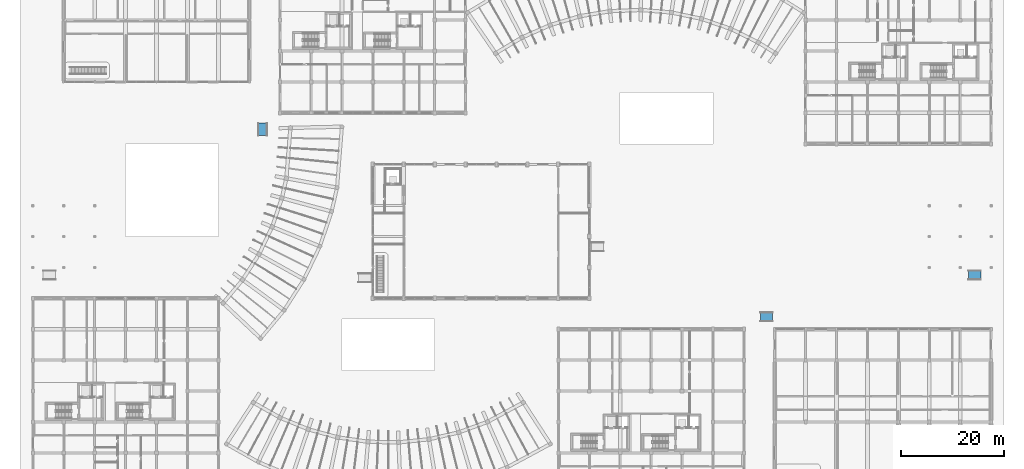
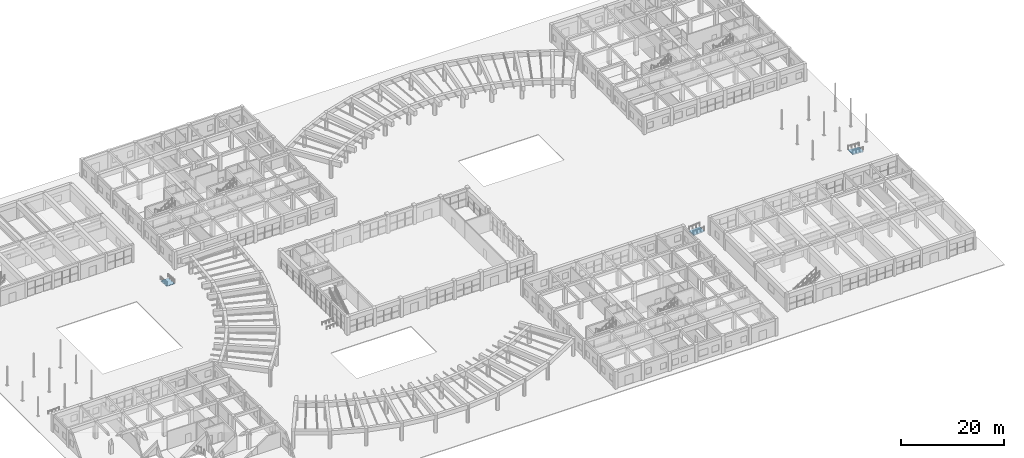
# One storey, part 66 of 76: 3 ramp flights, 3 elements without a shape of their own.
"""IFC4 building model written with IfcOpenShell, lengths in metres."""

from ifc_helpers import new_model, si_unit, direction, frame, origin, place, context, subcontext, project, spatial, polyline, outline, extrude, material, type_object, element, aggregate, save


model = new_model("IFC4")

# Units and contexts
model_context = context("Model", 3, precision=1e-05, world=origin(), true_north=direction((0.0, 1.0)))
body_context = subcontext(model_context, "Body", "Model", "MODEL_VIEW")
ifc_project = project(units=[si_unit("LENGTHUNIT", "METRE"), si_unit("AREAUNIT", "SQUARE_METRE"), si_unit("VOLUMEUNIT", "CUBIC_METRE"), si_unit("PLANEANGLEUNIT", "RADIAN"), si_unit("MASSUNIT", "GRAM", prefix="KILO"), si_unit("POWERUNIT", "WATT"), si_unit("THERMODYNAMICTEMPERATUREUNIT", "KELVIN")], contexts=[model_context])

# Site, building, storey
site_placement = place(None, origin())
site = spatial("IfcSite", under=ifc_project, at=site_placement, CompositionType="ELEMENT")
building_placement = place(site_placement, origin())
building = spatial("IfcBuilding", under=site, at=building_placement, Name="Ruvembo Vaulted Housing Court", CompositionType="ELEMENT")
storey_placement = place(building_placement, origin())
storey = spatial("IfcBuildingStorey", under=building, at=storey_placement, Name="L00", CompositionType="ELEMENT", Elevation=0.0)

# Ramp, ramp flight
ifc_material = material(Name="Concrete C30/37", Category="concrete")
ramp_type = type_object("IfcRampType", Name="RMP-COURT-1TO16", PredefinedType="STRAIGHT_RUN_RAMP", material=ifc_material)
ramp_1_placement = place(storey_placement, origin())
ramp_1 = element("IfcRamp", 1, at=ramp_1_placement, inside=storey, type_object=ramp_type, Name="Accessible Courtyard Ramp RMP-02", PredefinedType="STRAIGHT_RUN_RAMP")
ramp_flight_type = type_object("IfcRampFlightType", Name="RMP-FLT-1800", PredefinedType="STRAIGHT", material=ifc_material)
ramp_flight_1_placement = place(storey_placement, frame((184.0, 46.5, -0.14990234375), z_axis=(0.0, 0.0, 1.0), x_axis=(-1.0, 0.0, 0.0)))
ramp_flight_1 = element("IfcRampFlight", 2, at=ramp_flight_1_placement, type_object=ramp_flight_type, Name="RP1 flight 1", PredefinedType="STRAIGHT", context=body_context, shape_type="SweptSolid", body=[
    extrude(outline(polyline([(0.0, 0.0), (2.39990234375, 0.14990234375), (2.39990234375, -0.030029296875), (0.0, -0.179931640625), (0.0, 0.0)])), frame((0.0, 0.89990234375, 0.0), z_axis=(0.0, -1.0, 0.0), x_axis=(1.0, 0.0, 0.0)), (0.0, 0.0, 1.0), 1.800048828125),
])
aggregate(ramp_1, [ramp_flight_1])

ramp_2_placement = place(storey_placement, origin())
ramp_2 = element("IfcRamp", 3, at=ramp_2_placement, inside=storey, type_object=ramp_type, Name="Accessible Courtyard Ramp RMP-04", PredefinedType="STRAIGHT_RUN_RAMP")
ramp_flight_2_placement = place(storey_placement, frame((44.60009765625, 76.0, -0.14990234375), z_axis=(0.0, 0.0, 1.0), x_axis=(0.0, -1.0, 0.0)))
ramp_flight_2 = element("IfcRampFlight", 4, at=ramp_flight_2_placement, type_object=ramp_flight_type, Name="RP1 flight 1", PredefinedType="STRAIGHT", context=body_context, shape_type="SweptSolid", body=[
    extrude(outline(polyline([(0.0, 0.0), (2.39990234375, 0.14990234375), (2.39990234375, -0.030029296875), (0.0, -0.179931640625), (0.0, 0.0)])), frame((0.0, 0.89990234375, 0.0), z_axis=(0.0, -1.0, 0.0), x_axis=(1.0, 0.0, 0.0)), (0.0, 0.0, 1.0), 1.800048828125),
])
aggregate(ramp_2, [ramp_flight_2])

ramp_3_placement = place(storey_placement, origin())
ramp_3 = element("IfcRamp", 5, at=ramp_3_placement, inside=storey, type_object=ramp_type, Name="Accessible Courtyard Ramp RMP-05", PredefinedType="STRAIGHT_RUN_RAMP")
ramp_flight_3_placement = place(storey_placement, frame((141.199951171875, 38.39990234375, -0.14990234375), z_axis=(0.0, 0.0, 1.0), x_axis=(1.0, 0.0, 0.0)))
ramp_flight_3 = element("IfcRampFlight", 6, at=ramp_flight_3_placement, type_object=ramp_flight_type, Name="RP1 flight 1", PredefinedType="STRAIGHT", context=body_context, shape_type="SweptSolid", body=[
    extrude(outline(polyline([(0.0, 0.0), (2.400146484375, 0.14990234375), (2.400146484375, -0.030029296875), (0.0, -0.179931640625), (0.0, 0.0)])), frame((0.0, 0.89990234375, 0.0), z_axis=(0.0, -1.0, 0.0), x_axis=(1.0, 0.0, 0.0)), (0.0, 0.0, 1.0), 1.800048828125),
])
aggregate(ramp_3, [ramp_flight_3])

save(model, "model.ifc")
